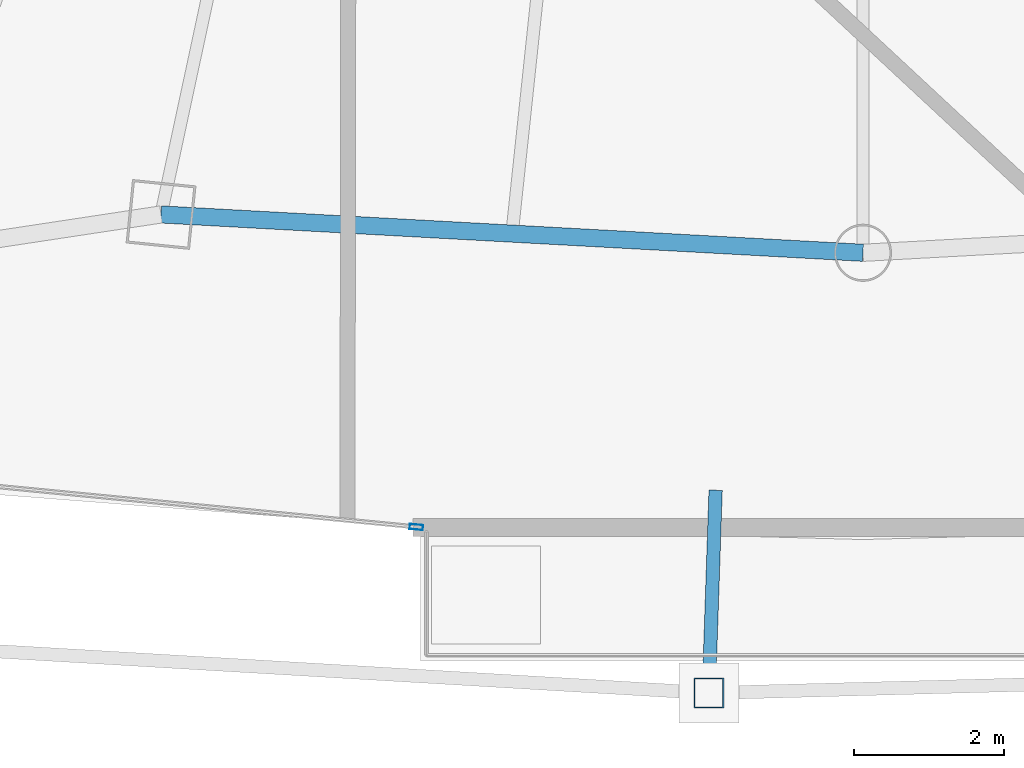
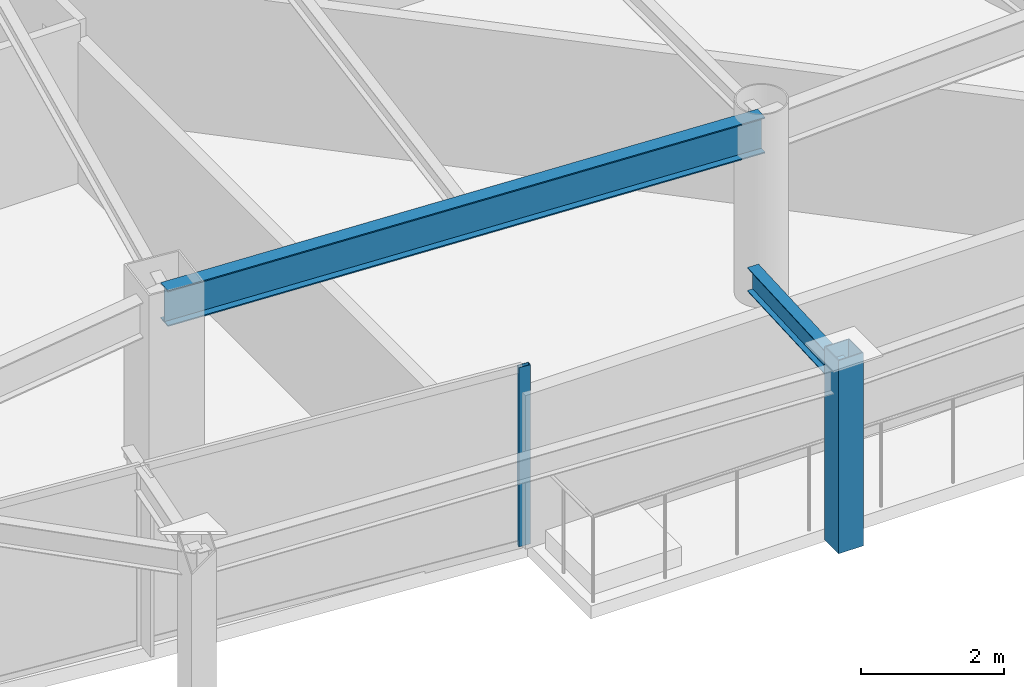
# One storey, part 6 of 31: 2 beams, 2 members, 1 element without a shape of its own.
"""IFC4 building model written with IfcOpenShell, lengths in metres."""

import ifcopenshell
import ifcopenshell.guid

model = None  # the IFC model being written
_history = None  # IfcOwnerHistory: only IFC2X3 demands one
_inside = {}  # id of a spatial element -> (the spatial element, [elements in it])
_under = {}  # id of a project, library or spatial element -> (it, [spatial elements below it])
_declared = {}  # id of a project -> (the project, [libraries it declares])
_typed = {}  # id of a type object -> (the type object, [elements of that type])
_made_of = {}  # id of a material, layer set ... -> (it, [elements and type objects made of it])


def new_model(schema):
    """Start an empty IFC model of exactly this schema.

    Asked for "IFC4X3", IfcOpenShell would pick the latest addendum, in which some entities
    have other attributes; the version numbers below select the first issue.
    IFC2X3 requires an IfcOwnerHistory on every rooted entity: one is made here for all.
    """
    global model, _history
    if schema == "IFC4X3":
        model = ifcopenshell.file(schema_version=(4, 3, 0, 0))
    else:
        model = ifcopenshell.file(schema=schema)
    _inside.clear()
    _under.clear()
    _declared.clear()
    _typed.clear()
    _made_of.clear()
    _history = None
    if model.schema == "IFC2X3":
        org = make("IfcOrganization", Name="unknown")
        user = make(
            "IfcPersonAndOrganization",
            ThePerson=make("IfcPerson", FamilyName="unknown"),
            TheOrganization=org,
        )
        app = make(
            "IfcApplication",
            ApplicationDeveloper=org,
            Version="unknown",
            ApplicationFullName="unknown",
            ApplicationIdentifier="unknown",
        )
        _history = make(
            "IfcOwnerHistory",
            OwningUser=user,
            OwningApplication=app,
            ChangeAction="ADDED",
            CreationDate=0,
        )
    return model


def make(cls, **values):
    """One entity of the class cls with the attributes given. An attribute that is None is left unset."""
    return model.create_entity(
        cls, **{name: value for name, value in values.items() if value is not None}
    )


def rooted(cls, **values):
    """An entity with a GlobalId (a new one), such as an element, a storey or a relation."""
    return make(cls, GlobalId=ifcopenshell.guid.new(), OwnerHistory=_history, **values)


def si_unit(unit_type, name, prefix=None):
    """IfcSIUnit, for example si_unit("LENGTHUNIT", "METRE", prefix="MILLI")."""
    return make("IfcSIUnit", UnitType=unit_type, Prefix=prefix, Name=name)


def assignment(units):
    """IfcUnitAssignment: the units of a project."""
    return None if units is None else make("IfcUnitAssignment", Units=units)


def point(xyz):
    """IfcCartesianPoint."""
    return None if xyz is None else make("IfcCartesianPoint", Coordinates=xyz)


def direction(xyz):
    """IfcDirection."""
    return None if xyz is None else make("IfcDirection", DirectionRatios=xyz)


def frame(location, z_axis=None, x_axis=None):
    """IfcAxis2Placement3D, a coordinate frame: its origin and axes. An axis left out is left unset."""
    return make(
        "IfcAxis2Placement3D",
        Location=point(location),
        Axis=direction(z_axis),
        RefDirection=direction(x_axis),
    )


def frame_2d(location, x_axis=None):
    """IfcAxis2Placement2D, a coordinate frame in the plane: its origin and x axis."""
    return make(
        "IfcAxis2Placement2D", Location=point(location), RefDirection=direction(x_axis)
    )


def origin():
    """The frame at (0, 0, 0) with its axes left unset."""
    return frame((0.0, 0.0, 0.0))


def origin_2d():
    """The frame at (0, 0) in the plane with its x axis left unset."""
    return frame_2d((0.0, 0.0))


def place(relative_to, where):
    """IfcLocalPlacement: puts the frame where relative to a parent placement (None: the world)."""
    return make(
        "IfcLocalPlacement", PlacementRelTo=relative_to, RelativePlacement=where
    )


def context(
    kind, dimensions, precision=None, world=None, true_north=None, identifier=None
):
    """IfcGeometricRepresentationContext, for example the 3D "Model" context."""
    return make(
        "IfcGeometricRepresentationContext",
        ContextIdentifier=identifier,
        ContextType=kind,
        CoordinateSpaceDimension=dimensions,
        Precision=precision,
        WorldCoordinateSystem=world,
        TrueNorth=true_north,
    )


def subcontext(parent, identifier, kind, view, scale=None):
    """IfcGeometricRepresentationSubContext, for example "Body" below "Model"."""
    return make(
        "IfcGeometricRepresentationSubContext",
        ContextIdentifier=identifier,
        ContextType=kind,
        ParentContext=parent,
        TargetScale=scale,
        TargetView=view,
    )


def project(units=None, contexts=None):
    """IfcProject with its units and contexts."""
    return rooted(
        "IfcProject",
        Name="project",
        RepresentationContexts=contexts,
        UnitsInContext=assignment(units),
    )


def spatial(cls, under=None, at=None, **own):
    """A site, building, storey or space (cls), placed at a placement, below another one or the project."""
    s = rooted(cls, ObjectPlacement=at, **own)
    if under is not None:
        _under.setdefault(under.id(), (under, []))[1].append(s)
    return s


def profile(cls, at=None, kind="AREA", **sizes):
    """A parametric profile (cls). Its sizes go by their IFC names, for example OverallWidth=200.0."""
    return make(cls, ProfileType=kind, Position=at, **sizes)


def hollow_rectangle(**sizes):
    """IfcRectangleHollowProfileDef."""
    return profile("IfcRectangleHollowProfileDef", **sizes)


def i_section(**sizes):
    """IfcIShapeProfileDef."""
    return profile("IfcIShapeProfileDef", **sizes)


def extrude(swept, where, along, depth):
    """IfcExtrudedAreaSolid: the profile swept, set in the frame where, extruded along a direction by depth."""
    return make(
        "IfcExtrudedAreaSolid",
        SweptArea=swept,
        Position=where,
        ExtrudedDirection=direction(along),
        Depth=depth,
    )


def shape(context_of_items, identifier, shape_type, items):
    """IfcShapeRepresentation: the items that make up one representation, for example the "Body"."""
    return make(
        "IfcShapeRepresentation",
        ContextOfItems=context_of_items,
        RepresentationIdentifier=identifier,
        RepresentationType=shape_type,
        Items=items,
    )


def material(Name=None, Category=None):
    """IfcMaterial."""
    return make("IfcMaterial", Name=Name, Category=Category)


def layer(
    of_material, thickness, ventilated=None, Name=None, Category=None, Priority=None
):
    """IfcMaterialLayer: one layer of a wall or slab, of a material (None: an air gap)."""
    return make(
        "IfcMaterialLayer",
        Material=of_material,
        LayerThickness=thickness,
        IsVentilated=ventilated,
        Name=Name,
        Category=Category,
        Priority=Priority,
    )


def layer_set(layers, Name=None):
    """IfcMaterialLayerSet."""
    return make("IfcMaterialLayerSet", MaterialLayers=layers, LayerSetName=Name)


def material_profile(
    of_material, cross_section, Name=None, Category=None, Priority=None
):
    """IfcMaterialProfile: a cross section and its material."""
    return make(
        "IfcMaterialProfile",
        Name=Name,
        Material=of_material,
        Profile=cross_section,
        Priority=Priority,
        Category=Category,
    )


def profile_set(profiles, Name=None, composite=None):
    """IfcMaterialProfileSet."""
    return make(
        "IfcMaterialProfileSet",
        Name=Name,
        MaterialProfiles=profiles,
        CompositeProfile=composite,
    )


def made_of(thing, what):
    """Note that an element or type object is made of a material, layer set ...; save() writes the relation."""
    if what is not None:
        _made_of.setdefault(what.id(), (what, []))[1].append(thing)
    return thing


def type_object(cls, material=None, **own):
    """A type object (cls), such as IfcWallType, which elements share."""
    return made_of(rooted(cls, **own), material)


def element(
    cls,
    number,
    at=None,
    inside=None,
    cuts=None,
    type_object=None,
    material=None,
    context=None,
    identifier="Body",
    shape_type=None,
    held_by="IfcProductDefinitionShape",
    body=None,
    shapes=None,
    **own,
):
    """One element of the class cls, such as IfcWall. Its Tag is "e" and its number.

    at: its placement. inside: the storey or other place that contains it. cuts: it is an
    opening in that element (IfcRelVoidsElement). A single representation is given by context,
    identifier, shape_type and body (its items); several are given by shapes. held_by: the class
    of the entity that holds the representations. save() writes the other relations.
    """
    e = rooted(cls, Tag="e%d" % number, ObjectPlacement=at, **own)
    if body is not None:
        shapes = [shape(context, identifier, shape_type, body)]
    if shapes is not None:
        e.Representation = make(held_by, Representations=shapes)
    if inside is not None:
        _inside.setdefault(inside.id(), (inside, []))[1].append(e)
    if cuts is not None:
        rooted(
            "IfcRelVoidsElement", RelatingBuildingElement=cuts, RelatedOpeningElement=e
        )
    if type_object is not None:
        _typed.setdefault(type_object.id(), (type_object, []))[1].append(e)
    return made_of(e, material)


def aggregate(whole, parts):
    """IfcRelAggregates: a whole, such as a stair, and the parts it consists of."""
    return rooted("IfcRelAggregates", RelatingObject=whole, RelatedObjects=parts)


def save(model, path):
    """Write the relations noted so far, then the file.

    IfcRelAggregates (storeys below a building ...), IfcRelContainedInSpatialStructure (elements
    in a storey), IfcRelDefinesByType, IfcRelAssociatesMaterial and IfcRelDeclares: one each for
    every whole, place, type object, material and project.
    """
    for whole, parts in _under.values():
        aggregate(whole, parts)
    for where, things in _inside.values():
        rooted(
            "IfcRelContainedInSpatialStructure",
            RelatedElements=things,
            RelatingStructure=where,
        )
    for kind, things in _typed.values():
        rooted("IfcRelDefinesByType", RelatedObjects=things, RelatingType=kind)
    for what, things in _made_of.values():
        rooted("IfcRelAssociatesMaterial", RelatedObjects=things, RelatingMaterial=what)
    for by, libraries in _declared.values():
        rooted("IfcRelDeclares", RelatingContext=by, RelatedDefinitions=libraries)
    model.write(path)


model = new_model("IFC4")

# Units and contexts
model_context = context("Model", 3, precision=1e-05, world=origin(), true_north=direction((0.0, 1.0)))
body_context = subcontext(model_context, "Body", "Model", "MODEL_VIEW")
ifc_project = project(units=[si_unit("LENGTHUNIT", "METRE"), si_unit("AREAUNIT", "SQUARE_METRE"), si_unit("VOLUMEUNIT", "CUBIC_METRE"), si_unit("PLANEANGLEUNIT", "RADIAN"), si_unit("MASSUNIT", "GRAM", prefix="KILO")], contexts=[model_context])

# Site, building, storey
site_placement = place(None, origin())
site = spatial("IfcSite", under=ifc_project, at=site_placement, CompositionType="ELEMENT")
building_placement = place(site_placement, origin())
building = spatial("IfcBuilding", under=site, at=building_placement, Name="Orvanel Arch Residences", CompositionType="ELEMENT")
storey_placement = place(building_placement, frame((0.0, 0.0, 133.10009765625)))
storey = spatial("IfcBuildingStorey", under=building, at=storey_placement, Name="L37", CompositionType="ELEMENT", Elevation=133.10009765625)

# Curtain wall, member
ifc_material_1 = material(Name="Bronze-anodised aluminium AA6063-T6", Category="aluminium")
ifc_layer = layer(ifc_material_1, 0.179931640625)
ifc_layer_set = layer_set([ifc_layer], Name="Bronze-anodised aluminium AA6063-T6")
curtain_wall_type = type_object("IfcCurtainWallType", Name="CW3-MID-SYS", PredefinedType="NOTDEFINED", material=ifc_layer_set)
curtain_wall_placement = place(storey_placement, origin())
curtain_wall = element("IfcCurtainWall", 1, at=curtain_wall_placement, inside=storey, type_object=curtain_wall_type, Name="L37 CW3-MID-SYS Unitised Curtain Wall", PredefinedType="NOTDEFINED")
ifc_material_profile_1 = material_profile(ifc_material_1, hollow_rectangle(XDim=0.070068359375, YDim=0.179931640625, WallThickness=0.00439453125, at=origin_2d()), Name="ALU180x70x4.5")
ifc_profile_set_1 = profile_set([ifc_material_profile_1], Name="Bronze-anodised aluminium AA6063-T6")
member_type_1 = type_object("IfcMemberType", Name="MUL-180x70", PredefinedType="MULLION", material=ifc_profile_set_1)
member_1_placement = place(storey_placement, frame((27.050048828125, 3.1904296875, 0.0), z_axis=(0.0, 0.0, 1.0), x_axis=(0.096408125648, 0.995341887649, 0.0)))
member_1 = element("IfcMember", 2, at=member_1_placement, type_object=member_type_1, Name="CW-S3 mullion 3", PredefinedType="MULLION", context=body_context, shape_type="SweptSolid", body=[
    extrude(hollow_rectangle(XDim=0.070068359375, YDim=0.179931640625, WallThickness=0.00439453125, at=origin_2d()), origin(), (0.0, 0.0, 1.0), 3.059814453125),
])
aggregate(curtain_wall, [member_1])

# Beams
ifc_material_2 = material(Name="Structural steel AS/NZS 3679.1 Grade 300 (300 MPa)", Category="steel")
ifc_material_profile_2 = material_profile(ifc_material_2, i_section(OverallWidth=0.177978515625, OverallDepth=0.406005859375, WebThickness=0.0078125, FlangeThickness=0.0126953125, at=origin_2d()), Name="410UB59.7")
ifc_profile_set_2 = profile_set([ifc_material_profile_2], Name="Structural steel AS/NZS 3679.1 Grade 300 (300 MPa)")
beam_type_1 = type_object("IfcBeamType", Name="OB-410UB-EXT", PredefinedType="SPANDREL", material=ifc_profile_set_2)
beam_1_placement = place(storey_placement, frame((31.037109375, 3.680908203125, 2.85693359375), z_axis=(-0.033684677538, -0.999432510227, 0.0), x_axis=(0.999432510227, -0.033684677538, 0.0)))
element("IfcBeam", 3, at=beam_1_placement, inside=storey, type_object=beam_type_1, Name="L37 Outer Frame Radial Tie Beam 06", PredefinedType="SPANDREL", context=body_context, shape_type="SweptSolid", body=[
    extrude(i_section(OverallWidth=0.177978515625, OverallDepth=0.406005859375, WebThickness=0.0078125, FlangeThickness=0.0126953125, at=origin_2d()), origin(), (0.0, 0.0, 1.0), 2.703369140625),
])
ifc_material_profile_3 = material_profile(ifc_material_2, i_section(OverallWidth=0.22900390625, OverallDepth=0.612060546875, WebThickness=0.011962890625, FlangeThickness=0.01953125, at=origin_2d()), Name="610UB125")
ifc_profile_set_3 = profile_set([ifc_material_profile_3], Name="Structural steel AS/NZS 3679.1 Grade 300 (300 MPa)")
beam_type_2 = type_object("IfcBeamType", Name="SP-610UB", PredefinedType="SPANDREL", material=ifc_profile_set_3)
beam_2_placement = place(storey_placement, frame((23.64892578125, 7.35498046875, 2.75390625), z_axis=(0.998510315598, -0.054563262768, 0.0), x_axis=(0.054563262768, 0.998510315598, 0.0)))
element("IfcBeam", 4, at=beam_2_placement, inside=storey, type_object=beam_type_2, Name="L37 Perimeter Spandrel Beam 05", PredefinedType="SPANDREL", context=body_context, shape_type="SweptSolid", body=[
    extrude(i_section(OverallWidth=0.22900390625, OverallDepth=0.612060546875, WebThickness=0.011962890625, FlangeThickness=0.01953125, at=origin_2d()), origin(), (0.0, 0.0, 1.0), 9.364990234375),
])

# Member
ifc_material_3 = material(Name="Structural steel AS/NZS 1163 C450L0 (Grade 450)", Category="steel")
ifc_material_profile_4 = material_profile(ifc_material_3, hollow_rectangle(XDim=0.39990234375, YDim=0.39990234375, WallThickness=0.01611328125, at=origin_2d()), Name="SHS400x400x16")
ifc_profile_set_4 = profile_set([ifc_material_profile_4], Name="Structural steel AS/NZS 1163 C450L0 (Grade 450)")
member_type_2 = type_object("IfcMemberType", Name="ST-400SHS-EXT", PredefinedType="STRUT", material=ifc_profile_set_4)
member_2_placement = place(storey_placement, frame((30.946044921875, 0.97900390625, 0.0), z_axis=(0.0, 0.0, 1.0), x_axis=(1.0, 0.0, 0.0)))
element("IfcMember", 5, at=member_2_placement, inside=storey, type_object=member_type_2, Name="L37 Outer Perimeter Frame Post 06", PredefinedType="STRUT", context=body_context, shape_type="SweptSolid", body=[
    extrude(hollow_rectangle(XDim=0.39990234375, YDim=0.39990234375, WallThickness=0.01611328125, at=origin_2d()), origin(), (0.0, 0.0, 1.0), 3.2998046875),
])

save(model, "model.ifc")
